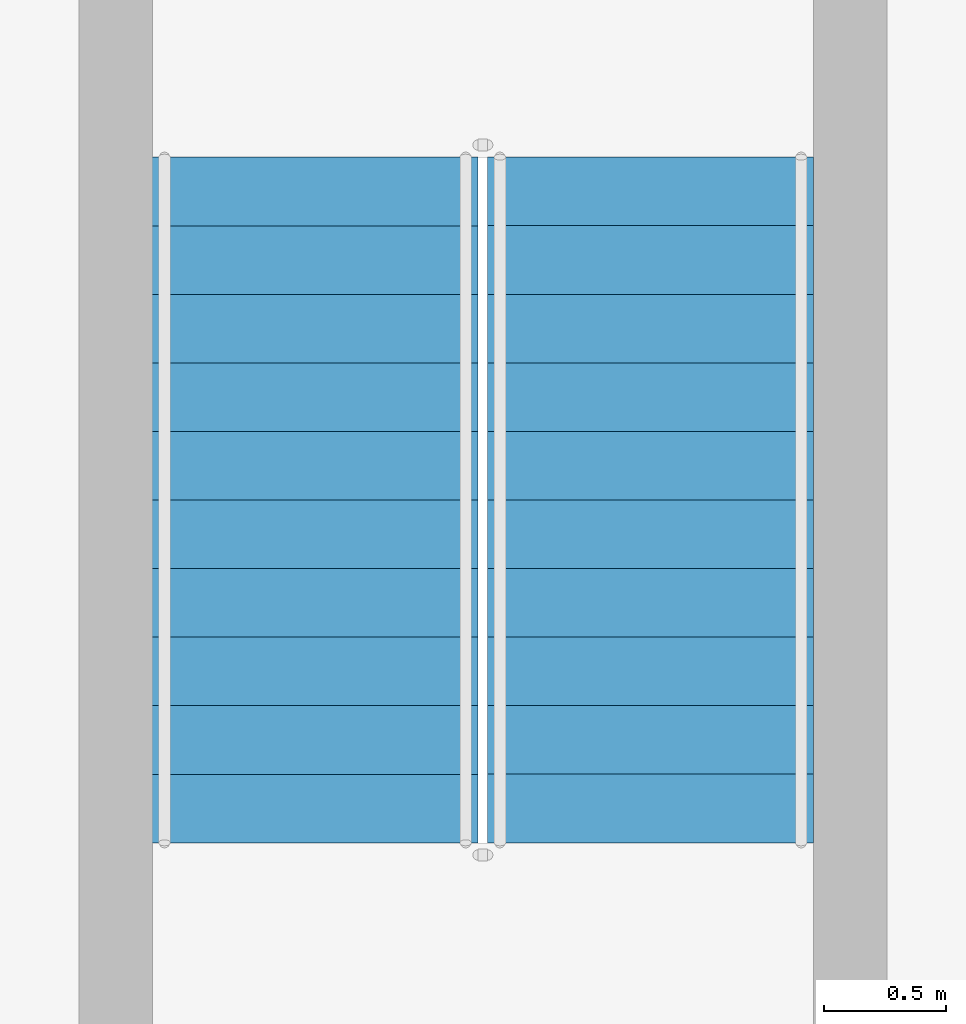
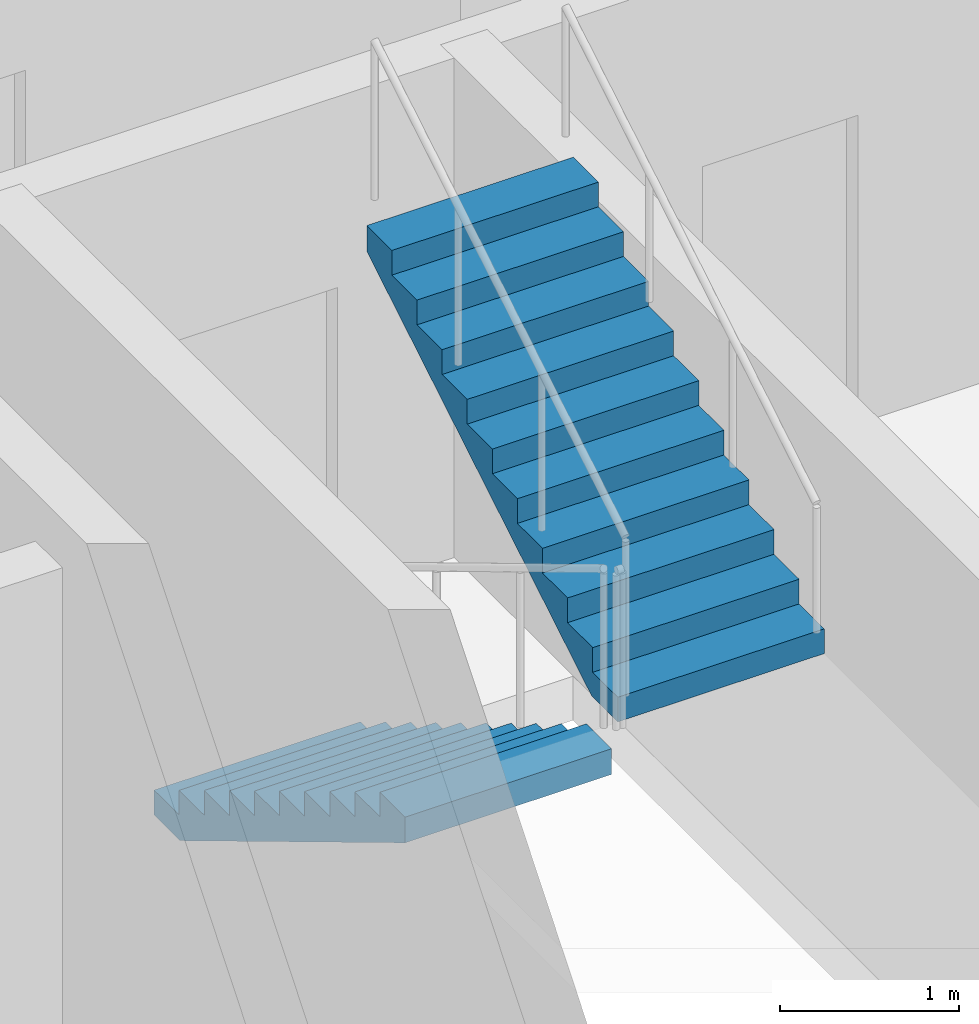
# One storey, part 15 of 21: 2 stair flights, 1 element without a shape of its own.
"""IFC4 building model written with IfcOpenShell, lengths in metres."""

from ifc_helpers import new_model, si_unit, direction, frame, origin, place, context, subcontext, project, spatial, triangles, source, transform, mapped, material, type_object, element, aggregate, save


model = new_model("IFC4")

# Units and contexts
model_context = context("Model", 3, precision=1e-05, world=origin(), true_north=direction((0.0, 1.0)))
body_context = subcontext(model_context, "Body", "Model", "MODEL_VIEW")
ifc_project = project(units=[si_unit("LENGTHUNIT", "METRE"), si_unit("AREAUNIT", "SQUARE_METRE"), si_unit("VOLUMEUNIT", "CUBIC_METRE"), si_unit("PLANEANGLEUNIT", "RADIAN"), si_unit("MASSUNIT", "GRAM", prefix="KILO")], contexts=[model_context])

# Site, building, storey
site_placement = place(None, origin())
site = spatial("IfcSite", under=ifc_project, at=site_placement, CompositionType="ELEMENT")
building_placement = place(site_placement, origin())
building = spatial("IfcBuilding", under=site, at=building_placement, Name="Ogive Portal Towers", CompositionType="ELEMENT")
storey_placement = place(building_placement, frame((0.0, 0.0, 225.39990234375)))
storey = spatial("IfcBuildingStorey", under=building, at=storey_placement, Name="L56", CompositionType="ELEMENT", Elevation=225.39990234375)

# Stair, stair flights
ifc_material = material(Name="Concrete C40/50", Category="concrete")
stair_type = type_object("IfcStairType", Name="INT-STAIR", PredefinedType="HALF_TURN_STAIR", material=ifc_material)
stair_placement = place(storey_placement, origin())
stair = element("IfcStair", 1, at=stair_placement, inside=storey, type_object=stair_type, Name="L56 Exit Stair ST-A4", PredefinedType="HALF_TURN_STAIR")
stair_flight_type = type_object("IfcStairFlightType", Name="INT-FLIGHT", PredefinedType="STRAIGHT", material=ifc_material)
shared_shape = source(origin(), body_context, "Body", "Tessellation", [
    triangles([(0.0, -0.6650390625, 0.0), (0.0, -0.384765625, 0.0), (0.0, -0.197021484375, 0.0), (0.0, -0.0830078125, 0.0), (0.0, -0.024658203125, 0.0), (0.0, -0.003173828125, 0.0), (0.0, 0.0, 0.0), (0.0, 0.003173828125, 0.0), (0.0, 0.024658203125, 0.0), (0.0, 0.0830078125, 0.0), (0.0, 0.197021484375, 0.0), (0.0, 0.384765625, 0.0), (0.0, 0.6650390625, 0.0), (0.0, -0.6650390625, 0.168212890625), (0.0, -0.384765625, 0.168212890625), (0.0, -0.197021484375, 0.168212890625), (0.0, -0.0830078125, 0.168212890625), (0.0, -0.024658203125, 0.168212890625), (0.0, -0.003173828125, 0.168212890625), (0.0, 0.0, 0.168212890625), (0.0, 0.003173828125, 0.168212890625), (0.0, 0.024658203125, 0.168212890625), (0.0, 0.0830078125, 0.168212890625), (0.0, 0.197021484375, 0.168212890625), (0.0, 0.384765625, 0.168212890625), (0.0, 0.6650390625, 0.168212890625), (0.280029296875, -0.6650390625, 0.168212890625), (0.280029296875, -0.384765625, 0.168212890625), (0.280029296875, -0.197021484375, 0.168212890625), (0.280029296875, -0.0830078125, 0.168212890625), (0.280029296875, -0.024658203125, 0.168212890625), (0.280029296875, -0.003173828125, 0.168212890625), (0.280029296875, 0.0, 0.168212890625), (0.280029296875, 0.003173828125, 0.168212890625), (0.280029296875, 0.024658203125, 0.168212890625), (0.280029296875, 0.0830078125, 0.168212890625), (0.280029296875, 0.197021484375, 0.168212890625), (0.280029296875, 0.384765625, 0.168212890625), (0.280029296875, 0.6650390625, 0.168212890625), (0.280029296875, -0.6650390625, 0.33642578125), (0.280029296875, -0.384765625, 0.33642578125), (0.280029296875, -0.197021484375, 0.33642578125), (0.280029296875, -0.0830078125, 0.33642578125), (0.280029296875, -0.024658203125, 0.33642578125), (0.280029296875, -0.003173828125, 0.33642578125), (0.280029296875, 0.0, 0.33642578125), (0.280029296875, 0.003173828125, 0.33642578125), (0.280029296875, 0.024658203125, 0.33642578125), (0.280029296875, 0.0830078125, 0.33642578125), (0.280029296875, 0.197021484375, 0.33642578125), (0.280029296875, 0.384765625, 0.33642578125), (0.280029296875, 0.6650390625, 0.33642578125), (0.56005859375, -0.6650390625, 0.33642578125), (0.56005859375, -0.384765625, 0.33642578125), (0.56005859375, -0.197021484375, 0.33642578125), (0.56005859375, -0.0830078125, 0.33642578125), (0.56005859375, -0.024658203125, 0.33642578125), (0.56005859375, -0.003173828125, 0.33642578125), (0.56005859375, 0.0, 0.33642578125), (0.56005859375, 0.003173828125, 0.33642578125), (0.56005859375, 0.024658203125, 0.33642578125), (0.56005859375, 0.0830078125, 0.33642578125), (0.56005859375, 0.197021484375, 0.33642578125), (0.56005859375, 0.384765625, 0.33642578125), (0.56005859375, 0.6650390625, 0.33642578125), (0.56005859375, -0.6650390625, 0.504638671875), (0.56005859375, -0.384765625, 0.504638671875), (0.56005859375, -0.197021484375, 0.504638671875), (0.56005859375, -0.0830078125, 0.504638671875), (0.56005859375, -0.024658203125, 0.504638671875), (0.56005859375, -0.003173828125, 0.504638671875), (0.56005859375, 0.0, 0.504638671875), (0.56005859375, 0.003173828125, 0.504638671875), (0.56005859375, 0.024658203125, 0.504638671875), (0.56005859375, 0.0830078125, 0.504638671875), (0.56005859375, 0.197021484375, 0.504638671875), (0.56005859375, 0.384765625, 0.504638671875), (0.56005859375, 0.6650390625, 0.504638671875), (0.840087890625, -0.6650390625, 0.504638671875), (0.840087890625, -0.384765625, 0.504638671875), (0.840087890625, -0.197021484375, 0.504638671875), (0.840087890625, -0.0830078125, 0.504638671875), (0.840087890625, -0.024658203125, 0.504638671875), (0.840087890625, -0.003173828125, 0.504638671875), (0.840087890625, 0.0, 0.504638671875), (0.840087890625, 0.003173828125, 0.504638671875), (0.840087890625, 0.024658203125, 0.504638671875), (0.840087890625, 0.0830078125, 0.504638671875), (0.840087890625, 0.197021484375, 0.504638671875), (0.840087890625, 0.384765625, 0.504638671875), (0.840087890625, 0.6650390625, 0.504638671875), (0.840087890625, -0.6650390625, 0.672607421875), (0.840087890625, -0.384765625, 0.672607421875), (0.840087890625, -0.197021484375, 0.672607421875), (0.840087890625, -0.0830078125, 0.672607421875), (0.840087890625, -0.024658203125, 0.672607421875), (0.840087890625, -0.003173828125, 0.672607421875), (0.840087890625, 0.0, 0.672607421875), (0.840087890625, 0.003173828125, 0.672607421875), (0.840087890625, 0.024658203125, 0.672607421875), (0.840087890625, 0.0830078125, 0.672607421875), (0.840087890625, 0.197021484375, 0.672607421875), (0.840087890625, 0.384765625, 0.672607421875), (0.840087890625, 0.6650390625, 0.672607421875), (1.1201171875, -0.6650390625, 0.672607421875), (1.1201171875, -0.384765625, 0.672607421875), (1.1201171875, -0.197021484375, 0.672607421875), (1.1201171875, -0.0830078125, 0.672607421875), (1.1201171875, -0.024658203125, 0.672607421875), (1.1201171875, -0.003173828125, 0.672607421875), (1.1201171875, 0.0, 0.672607421875), (1.1201171875, 0.003173828125, 0.672607421875), (1.1201171875, 0.024658203125, 0.672607421875), (1.1201171875, 0.0830078125, 0.672607421875), (1.1201171875, 0.197021484375, 0.672607421875), (1.1201171875, 0.384765625, 0.672607421875), (1.1201171875, 0.6650390625, 0.672607421875), (1.1201171875, -0.6650390625, 0.8408203125), (1.1201171875, -0.384765625, 0.8408203125), (1.1201171875, -0.197021484375, 0.8408203125), (1.1201171875, -0.0830078125, 0.8408203125), (1.1201171875, -0.024658203125, 0.8408203125), (1.1201171875, -0.003173828125, 0.8408203125), (1.1201171875, 0.0, 0.8408203125), (1.1201171875, 0.003173828125, 0.8408203125), (1.1201171875, 0.024658203125, 0.8408203125), (1.1201171875, 0.0830078125, 0.8408203125), (1.1201171875, 0.197021484375, 0.8408203125), (1.1201171875, 0.384765625, 0.8408203125), (1.1201171875, 0.6650390625, 0.8408203125), (1.39990234375, -0.6650390625, 0.8408203125), (1.39990234375, -0.384765625, 0.8408203125), (1.39990234375, -0.197021484375, 0.8408203125), (1.39990234375, -0.0830078125, 0.8408203125), (1.39990234375, -0.024658203125, 0.8408203125), (1.39990234375, -0.003173828125, 0.8408203125), (1.39990234375, 0.0, 0.8408203125), (1.39990234375, 0.003173828125, 0.8408203125), (1.39990234375, 0.024658203125, 0.8408203125), (1.39990234375, 0.0830078125, 0.8408203125), (1.39990234375, 0.197021484375, 0.8408203125), (1.39990234375, 0.384765625, 0.8408203125), (1.39990234375, 0.6650390625, 0.8408203125), (1.39990234375, -0.6650390625, 1.009033203125), (1.39990234375, -0.384765625, 1.009033203125), (1.39990234375, -0.197021484375, 1.009033203125), (1.39990234375, -0.0830078125, 1.009033203125), (1.39990234375, -0.024658203125, 1.009033203125), (1.39990234375, -0.003173828125, 1.009033203125), (1.39990234375, 0.0, 1.009033203125), (1.39990234375, 0.003173828125, 1.009033203125), (1.39990234375, 0.024658203125, 1.009033203125), (1.39990234375, 0.0830078125, 1.009033203125), (1.39990234375, 0.197021484375, 1.009033203125), (1.39990234375, 0.384765625, 1.009033203125), (1.39990234375, 0.6650390625, 1.009033203125), (1.679931640625, -0.6650390625, 1.009033203125), (1.679931640625, -0.384765625, 1.009033203125), (1.679931640625, -0.197021484375, 1.009033203125), (1.679931640625, -0.0830078125, 1.009033203125), (1.679931640625, -0.024658203125, 1.009033203125), (1.679931640625, -0.003173828125, 1.009033203125), (1.679931640625, 0.0, 1.009033203125), (1.679931640625, 0.003173828125, 1.009033203125), (1.679931640625, 0.024658203125, 1.009033203125), (1.679931640625, 0.0830078125, 1.009033203125), (1.679931640625, 0.197021484375, 1.009033203125), (1.679931640625, 0.384765625, 1.009033203125), (1.679931640625, 0.6650390625, 1.009033203125), (1.679931640625, -0.6650390625, 1.17724609375), (1.679931640625, -0.384765625, 1.17724609375), (1.679931640625, -0.197021484375, 1.17724609375), (1.679931640625, -0.0830078125, 1.17724609375), (1.679931640625, -0.024658203125, 1.17724609375), (1.679931640625, -0.003173828125, 1.17724609375), (1.679931640625, 0.0, 1.17724609375), (1.679931640625, 0.003173828125, 1.17724609375), (1.679931640625, 0.024658203125, 1.17724609375), (1.679931640625, 0.0830078125, 1.17724609375), (1.679931640625, 0.197021484375, 1.17724609375), (1.679931640625, 0.384765625, 1.17724609375), (1.679931640625, 0.6650390625, 1.17724609375), (1.9599609375, -0.6650390625, 1.17724609375), (1.9599609375, -0.384765625, 1.17724609375), (1.9599609375, -0.197021484375, 1.17724609375), (1.9599609375, -0.0830078125, 1.17724609375), (1.9599609375, -0.024658203125, 1.17724609375), (1.9599609375, -0.003173828125, 1.17724609375), (1.9599609375, 0.0, 1.17724609375), (1.9599609375, 0.003173828125, 1.17724609375), (1.9599609375, 0.024658203125, 1.17724609375), (1.9599609375, 0.0830078125, 1.17724609375), (1.9599609375, 0.197021484375, 1.17724609375), (1.9599609375, 0.384765625, 1.17724609375), (1.9599609375, 0.6650390625, 1.17724609375), (1.9599609375, -0.6650390625, 1.345458984375), (1.9599609375, -0.384765625, 1.345458984375), (1.9599609375, -0.197021484375, 1.345458984375), (1.9599609375, -0.0830078125, 1.345458984375), (1.9599609375, -0.024658203125, 1.345458984375), (1.9599609375, -0.003173828125, 1.345458984375), (1.9599609375, 0.0, 1.345458984375), (1.9599609375, 0.003173828125, 1.345458984375), (1.9599609375, 0.024658203125, 1.345458984375), (1.9599609375, 0.0830078125, 1.345458984375), (1.9599609375, 0.197021484375, 1.345458984375), (1.9599609375, 0.384765625, 1.345458984375), (1.9599609375, 0.6650390625, 1.345458984375), (2.239990234375, -0.6650390625, 1.345458984375), (2.239990234375, -0.384765625, 1.345458984375), (2.239990234375, -0.197021484375, 1.345458984375), (2.239990234375, -0.0830078125, 1.345458984375), (2.239990234375, -0.024658203125, 1.345458984375), (2.239990234375, -0.003173828125, 1.345458984375), (2.239990234375, 0.0, 1.345458984375), (2.239990234375, 0.003173828125, 1.345458984375), (2.239990234375, 0.024658203125, 1.345458984375), (2.239990234375, 0.0830078125, 1.345458984375), (2.239990234375, 0.197021484375, 1.345458984375), (2.239990234375, 0.384765625, 1.345458984375), (2.239990234375, 0.6650390625, 1.345458984375), (2.239990234375, -0.6650390625, 1.513671875), (2.239990234375, -0.384765625, 1.513671875), (2.239990234375, -0.197021484375, 1.513671875), (2.239990234375, -0.0830078125, 1.513671875), (2.239990234375, -0.024658203125, 1.513671875), (2.239990234375, -0.003173828125, 1.513671875), (2.239990234375, 0.0, 1.513671875), (2.239990234375, 0.003173828125, 1.513671875), (2.239990234375, 0.024658203125, 1.513671875), (2.239990234375, 0.0830078125, 1.513671875), (2.239990234375, 0.197021484375, 1.513671875), (2.239990234375, 0.384765625, 1.513671875), (2.239990234375, 0.6650390625, 1.513671875), (2.52001953125, -0.6650390625, 1.513671875), (2.52001953125, -0.384765625, 1.513671875), (2.52001953125, -0.197021484375, 1.513671875), (2.52001953125, -0.0830078125, 1.513671875), (2.52001953125, -0.024658203125, 1.513671875), (2.52001953125, -0.003173828125, 1.513671875), (2.52001953125, 0.0, 1.513671875), (2.52001953125, 0.003173828125, 1.513671875), (2.52001953125, 0.024658203125, 1.513671875), (2.52001953125, 0.0830078125, 1.513671875), (2.52001953125, 0.197021484375, 1.513671875), (2.52001953125, 0.384765625, 1.513671875), (2.52001953125, 0.6650390625, 1.513671875), (2.52001953125, -0.6650390625, 1.681884765625), (2.52001953125, -0.384765625, 1.681884765625), (2.52001953125, -0.197021484375, 1.681884765625), (2.52001953125, -0.0830078125, 1.681884765625), (2.52001953125, -0.024658203125, 1.681884765625), (2.52001953125, -0.003173828125, 1.681884765625), (2.52001953125, 0.0, 1.681884765625), (2.52001953125, 0.003173828125, 1.681884765625), (2.52001953125, 0.024658203125, 1.681884765625), (2.52001953125, 0.0830078125, 1.681884765625), (2.52001953125, 0.197021484375, 1.681884765625), (2.52001953125, 0.384765625, 1.681884765625), (2.52001953125, 0.6650390625, 1.681884765625), (2.800048828125, -0.6650390625, 1.681884765625), (2.800048828125, -0.384765625, 1.681884765625), (2.800048828125, -0.197021484375, 1.681884765625), (2.800048828125, -0.0830078125, 1.681884765625), (2.800048828125, -0.024658203125, 1.681884765625), (2.800048828125, -0.003173828125, 1.681884765625), (2.800048828125, 0.0, 1.681884765625), (2.800048828125, 0.003173828125, 1.681884765625), (2.800048828125, 0.024658203125, 1.681884765625), (2.800048828125, 0.0830078125, 1.681884765625), (2.800048828125, 0.197021484375, 1.681884765625), (2.800048828125, 0.384765625, 1.681884765625), (2.800048828125, 0.6650390625, 1.681884765625), (2.800048828125, -0.6650390625, 1.5068359375), (2.800048828125, -0.384765625, 1.5068359375), (2.800048828125, -0.197021484375, 1.5068359375), (2.800048828125, -0.0830078125, 1.5068359375), (2.800048828125, -0.024658203125, 1.5068359375), (2.800048828125, -0.003173828125, 1.5068359375), (2.800048828125, 0.0, 1.5068359375), (2.800048828125, 0.003173828125, 1.5068359375), (2.800048828125, 0.024658203125, 1.5068359375), (2.800048828125, 0.0830078125, 1.5068359375), (2.800048828125, 0.197021484375, 1.5068359375), (2.800048828125, 0.384765625, 1.5068359375), (2.800048828125, 0.6650390625, 1.5068359375), (0.291015625, -0.6650390625, 0.0), (0.291015625, -0.384765625, 0.0), (0.291015625, -0.197021484375, 0.0), (0.291015625, -0.0830078125, 0.0), (0.291015625, -0.024658203125, 0.0), (0.291015625, -0.003173828125, 0.0), (0.291015625, 0.0, 0.0), (0.291015625, 0.003173828125, 0.0), (0.291015625, 0.024658203125, 0.0), (0.291015625, 0.0830078125, 0.0), (0.291015625, 0.197021484375, 0.0), (0.291015625, 0.384765625, 0.0), (0.291015625, 0.6650390625, 0.0)], [[1, 14, 15], [1, 15, 2], [2, 15, 16], [2, 16, 3], [3, 16, 17], [3, 17, 4], [4, 17, 18], [4, 18, 5], [5, 18, 19], [5, 19, 6], [6, 19, 20], [6, 20, 7], [7, 20, 21], [7, 21, 8], [8, 21, 22], [8, 22, 9], [9, 22, 23], [9, 23, 10], [10, 23, 24], [10, 24, 11], [11, 24, 25], [11, 25, 12], [12, 25, 26], [12, 26, 13], [14, 27, 28], [14, 28, 15], [15, 28, 29], [15, 29, 16], [16, 29, 30], [16, 30, 17], [17, 30, 31], [17, 31, 18], [18, 31, 32], [18, 32, 19], [19, 32, 33], [19, 33, 20], [20, 33, 34], [20, 34, 21], [21, 34, 35], [21, 35, 22], [22, 35, 36], [22, 36, 23], [23, 36, 37], [23, 37, 24], [24, 37, 38], [24, 38, 25], [25, 38, 39], [25, 39, 26], [27, 40, 41], [27, 41, 28], [28, 41, 42], [28, 42, 29], [29, 42, 43], [29, 43, 30], [30, 43, 44], [30, 44, 31], [31, 44, 45], [31, 45, 32], [32, 45, 46], [32, 46, 33], [33, 46, 47], [33, 47, 34], [34, 47, 48], [34, 48, 35], [35, 48, 49], [35, 49, 36], [36, 49, 50], [36, 50, 37], [37, 50, 51], [37, 51, 38], [38, 51, 52], [38, 52, 39], [40, 53, 54], [40, 54, 41], [41, 54, 55], [41, 55, 42], [42, 55, 56], [42, 56, 43], [43, 56, 57], [43, 57, 44], [44, 57, 58], [44, 58, 45], [45, 58, 59], [45, 59, 46], [46, 59, 60], [46, 60, 47], [47, 60, 61], [47, 61, 48], [48, 61, 62], [48, 62, 49], [49, 62, 63], [49, 63, 50], [50, 63, 64], [50, 64, 51], [51, 64, 65], [51, 65, 52], [53, 66, 67], [53, 67, 54], [54, 67, 68], [54, 68, 55], [55, 68, 69], [55, 69, 56], [56, 69, 70], [56, 70, 57], [57, 70, 71], [57, 71, 58], [58, 71, 72], [58, 72, 59], [59, 72, 73], [59, 73, 60], [60, 73, 74], [60, 74, 61], [61, 74, 75], [61, 75, 62], [62, 75, 76], [62, 76, 63], [63, 76, 77], [63, 77, 64], [64, 77, 78], [64, 78, 65], [66, 79, 80], [66, 80, 67], [67, 80, 81], [67, 81, 68], [68, 81, 82], [68, 82, 69], [69, 82, 83], [69, 83, 70], [70, 83, 84], [70, 84, 71], [71, 84, 85], [71, 85, 72], [72, 85, 86], [72, 86, 73], [73, 86, 87], [73, 87, 74], [74, 87, 88], [74, 88, 75], [75, 88, 89], [75, 89, 76], [76, 89, 90], [76, 90, 77], [77, 90, 91], [77, 91, 78], [79, 92, 93], [79, 93, 80], [80, 93, 94], [80, 94, 81], [81, 94, 95], [81, 95, 82], [82, 95, 96], [82, 96, 83], [83, 96, 97], [83, 97, 84], [84, 97, 98], [84, 98, 85], [85, 98, 99], [85, 99, 86], [86, 99, 100], [86, 100, 87], [87, 100, 101], [87, 101, 88], [88, 101, 102], [88, 102, 89], [89, 102, 103], [89, 103, 90], [90, 103, 104], [90, 104, 91], [92, 105, 106], [92, 106, 93], [93, 106, 107], [93, 107, 94], [94, 107, 108], [94, 108, 95], [95, 108, 109], [95, 109, 96], [96, 109, 110], [96, 110, 97], [97, 110, 111], [97, 111, 98], [98, 111, 112], [98, 112, 99], [99, 112, 113], [99, 113, 100], [100, 113, 114], [100, 114, 101], [101, 114, 115], [101, 115, 102], [102, 115, 116], [102, 116, 103], [103, 116, 117], [103, 117, 104], [105, 118, 119], [105, 119, 106], [106, 119, 120], [106, 120, 107], [107, 120, 121], [107, 121, 108], [108, 121, 122], [108, 122, 109], [109, 122, 123], [109, 123, 110], [110, 123, 124], [110, 124, 111], [111, 124, 125], [111, 125, 112], [112, 125, 126], [112, 126, 113], [113, 126, 127], [113, 127, 114], [114, 127, 128], [114, 128, 115], [115, 128, 129], [115, 129, 116], [116, 129, 130], [116, 130, 117], [118, 131, 132], [118, 132, 119], [119, 132, 133], [119, 133, 120], [120, 133, 134], [120, 134, 121], [121, 134, 135], [121, 135, 122], [122, 135, 136], [122, 136, 123], [123, 136, 137], [123, 137, 124], [124, 137, 138], [124, 138, 125], [125, 138, 139], [125, 139, 126], [126, 139, 140], [126, 140, 127], [127, 140, 141], [127, 141, 128], [128, 141, 142], [128, 142, 129], [129, 142, 143], [129, 143, 130], [131, 144, 145], [131, 145, 132], [132, 145, 146], [132, 146, 133], [133, 146, 147], [133, 147, 134], [134, 147, 148], [134, 148, 135], [135, 148, 149], [135, 149, 136], [136, 149, 150], [136, 150, 137], [137, 150, 151], [137, 151, 138], [138, 151, 152], [138, 152, 139], [139, 152, 153], [139, 153, 140], [140, 153, 154], [140, 154, 141], [141, 154, 155], [141, 155, 142], [142, 155, 156], [142, 156, 143], [144, 157, 158], [144, 158, 145], [145, 158, 159], [145, 159, 146], [146, 159, 160], [146, 160, 147], [147, 160, 161], [147, 161, 148], [148, 161, 162], [148, 162, 149], [149, 162, 163], [149, 163, 150], [150, 163, 164], [150, 164, 151], [151, 164, 165], [151, 165, 152], [152, 165, 166], [152, 166, 153], [153, 166, 167], [153, 167, 154], [154, 167, 168], [154, 168, 155], [155, 168, 169], [155, 169, 156], [157, 170, 171], [157, 171, 158], [158, 171, 172], [158, 172, 159], [159, 172, 173], [159, 173, 160], [160, 173, 174], [160, 174, 161], [161, 174, 175], [161, 175, 162], [162, 175, 176], [162, 176, 163], [163, 176, 177], [163, 177, 164], [164, 177, 178], [164, 178, 165], [165, 178, 179], [165, 179, 166], [166, 179, 180], [166, 180, 167], [167, 180, 181], [167, 181, 168], [168, 181, 182], [168, 182, 169], [170, 183, 184], [170, 184, 171], [171, 184, 185], [171, 185, 172], [172, 185, 186], [172, 186, 173], [173, 186, 187], [173, 187, 174], [174, 187, 188], [174, 188, 175], [175, 188, 189], [175, 189, 176], [176, 189, 190], [176, 190, 177], [177, 190, 191], [177, 191, 178], [178, 191, 192], [178, 192, 179], [179, 192, 193], [179, 193, 180], [180, 193, 194], [180, 194, 181], [181, 194, 195], [181, 195, 182], [183, 196, 197], [183, 197, 184], [184, 197, 198], [184, 198, 185], [185, 198, 199], [185, 199, 186], [186, 199, 200], [186, 200, 187], [187, 200, 201], [187, 201, 188], [188, 201, 202], [188, 202, 189], [189, 202, 203], [189, 203, 190], [190, 203, 204], [190, 204, 191], [191, 204, 205], [191, 205, 192], [192, 205, 206], [192, 206, 193], [193, 206, 207], [193, 207, 194], [194, 207, 208], [194, 208, 195], [196, 209, 210], [196, 210, 197], [197, 210, 211], [197, 211, 198], [198, 211, 212], [198, 212, 199], [199, 212, 213], [199, 213, 200], [200, 213, 214], [200, 214, 201], [201, 214, 215], [201, 215, 202], [202, 215, 216], [202, 216, 203], [203, 216, 217], [203, 217, 204], [204, 217, 218], [204, 218, 205], [205, 218, 219], [205, 219, 206], [206, 219, 220], [206, 220, 207], [207, 220, 221], [207, 221, 208], [209, 222, 223], [209, 223, 210], [210, 223, 224], [210, 224, 211], [211, 224, 225], [211, 225, 212], [212, 225, 226], [212, 226, 213], [213, 226, 227], [213, 227, 214], [214, 227, 228], [214, 228, 215], [215, 228, 229], [215, 229, 216], [216, 229, 230], [216, 230, 217], [217, 230, 231], [217, 231, 218], [218, 231, 232], [218, 232, 219], [219, 232, 233], [219, 233, 220], [220, 233, 234], [220, 234, 221], [222, 235, 236], [222, 236, 223], [223, 236, 237], [223, 237, 224], [224, 237, 238], [224, 238, 225], [225, 238, 239], [225, 239, 226], [226, 239, 240], [226, 240, 227], [227, 240, 241], [227, 241, 228], [228, 241, 242], [228, 242, 229], [229, 242, 243], [229, 243, 230], [230, 243, 244], [230, 244, 231], [231, 244, 245], [231, 245, 232], [232, 245, 246], [232, 246, 233], [233, 246, 247], [233, 247, 234], [235, 248, 249], [235, 249, 236], [236, 249, 250], [236, 250, 237], [237, 250, 251], [237, 251, 238], [238, 251, 252], [238, 252, 239], [239, 252, 253], [239, 253, 240], [240, 253, 254], [240, 254, 241], [241, 254, 255], [241, 255, 242], [242, 255, 256], [242, 256, 243], [243, 256, 257], [243, 257, 244], [244, 257, 258], [244, 258, 245], [245, 258, 259], [245, 259, 246], [246, 259, 260], [246, 260, 247], [248, 261, 262], [248, 262, 249], [249, 262, 263], [249, 263, 250], [250, 263, 264], [250, 264, 251], [251, 264, 265], [251, 265, 252], [252, 265, 266], [252, 266, 253], [253, 266, 267], [253, 267, 254], [254, 267, 268], [254, 268, 255], [255, 268, 269], [255, 269, 256], [256, 269, 270], [256, 270, 257], [257, 270, 271], [257, 271, 258], [258, 271, 272], [258, 272, 259], [259, 272, 273], [259, 273, 260], [261, 274, 275], [261, 275, 262], [262, 275, 276], [262, 276, 263], [263, 276, 277], [263, 277, 264], [264, 277, 278], [264, 278, 265], [265, 278, 279], [265, 279, 266], [266, 279, 280], [266, 280, 267], [267, 280, 281], [267, 281, 268], [268, 281, 282], [268, 282, 269], [269, 282, 283], [269, 283, 270], [270, 283, 284], [270, 284, 271], [271, 284, 285], [271, 285, 272], [272, 285, 286], [272, 286, 273], [274, 287, 288], [274, 288, 275], [275, 288, 289], [275, 289, 276], [276, 289, 290], [276, 290, 277], [277, 290, 291], [277, 291, 278], [278, 291, 292], [278, 292, 279], [279, 292, 293], [279, 293, 280], [280, 293, 294], [280, 294, 281], [281, 294, 295], [281, 295, 282], [282, 295, 296], [282, 296, 283], [283, 296, 297], [283, 297, 284], [284, 297, 298], [284, 298, 285], [285, 298, 299], [285, 299, 286], [287, 1, 2], [287, 2, 288], [288, 2, 3], [288, 3, 289], [289, 3, 4], [289, 4, 290], [290, 4, 5], [290, 5, 291], [291, 5, 6], [291, 6, 292], [292, 6, 7], [292, 7, 293], [293, 7, 8], [293, 8, 294], [294, 8, 9], [294, 9, 295], [295, 9, 10], [295, 10, 296], [296, 10, 11], [296, 11, 297], [297, 11, 12], [297, 12, 298], [298, 12, 13], [298, 13, 299], [1, 287, 274], [13, 286, 299], [274, 261, 248], [286, 260, 273], [274, 248, 235], [286, 247, 260], [274, 235, 222], [286, 234, 247], [274, 222, 209], [286, 221, 234], [209, 196, 183], [221, 195, 208], [274, 209, 183], [286, 195, 221], [183, 170, 157], [195, 169, 182], [274, 183, 157], [286, 169, 195], [157, 144, 131], [169, 143, 156], [274, 157, 131], [286, 143, 169], [131, 118, 105], [143, 117, 130], [274, 131, 105], [286, 117, 143], [1, 274, 105], [13, 117, 286], [105, 92, 79], [117, 91, 104], [79, 66, 53], [91, 65, 78], [105, 79, 53], [117, 65, 91], [53, 40, 27], [65, 39, 52], [105, 53, 27], [117, 39, 65], [1, 105, 27], [13, 39, 117], [27, 14, 1], [39, 13, 26]], closed=True),
])
stair_flight_1_placement = place(storey_placement, frame((87.6650390625, 29.169921875, 0.0), z_axis=(0.0, 0.0, 1.0), x_axis=(0.0, -1.0, 0.0)))
stair_flight_1 = element("IfcStairFlight", 2, at=stair_flight_1_placement, type_object=stair_flight_type, Name="ST-A4 flight 1", NumberOfRisers=11, NumberOfTreads=10, PredefinedType="STRAIGHT", RiserHeight=0.168181818, TreadLength=0.28, context=body_context, shape_type="MappedRepresentation", body=[
    mapped(shared_shape, transform((0.0, 0.0, 0.0), scale=1.0)),
])
stair_flight_2_placement = place(storey_placement, frame((89.034912109375, 26.3701171875, 1.85009765625), z_axis=(0.0, 0.0, 1.0), x_axis=(0.0, 1.0, 0.0)))
stair_flight_2 = element("IfcStairFlight", 3, at=stair_flight_2_placement, type_object=stair_flight_type, Name="ST-A4 flight 2", NumberOfRisers=11, NumberOfTreads=10, PredefinedType="STRAIGHT", RiserHeight=0.168181818, TreadLength=0.28, context=body_context, shape_type="MappedRepresentation", body=[
    mapped(shared_shape, transform((0.0, 0.0, 0.0), scale=1.0)),
])
aggregate(stair, [stair_flight_1, stair_flight_2])

save(model, "model.ifc")
